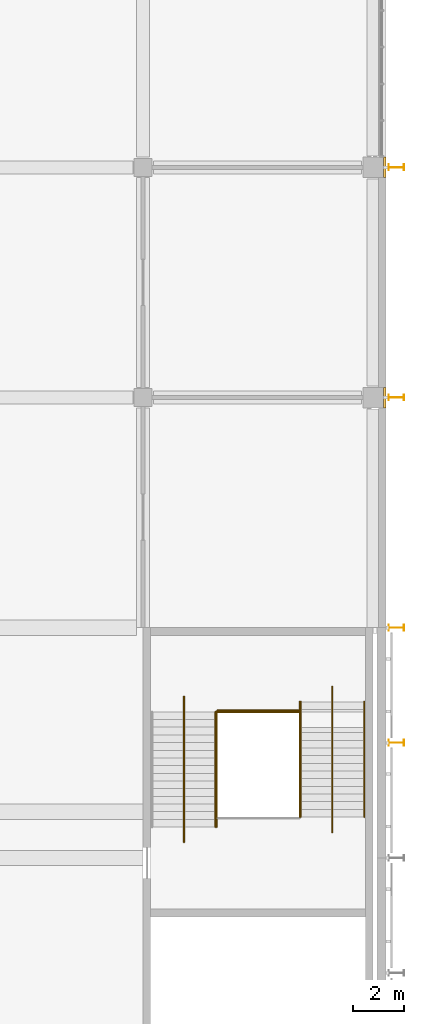
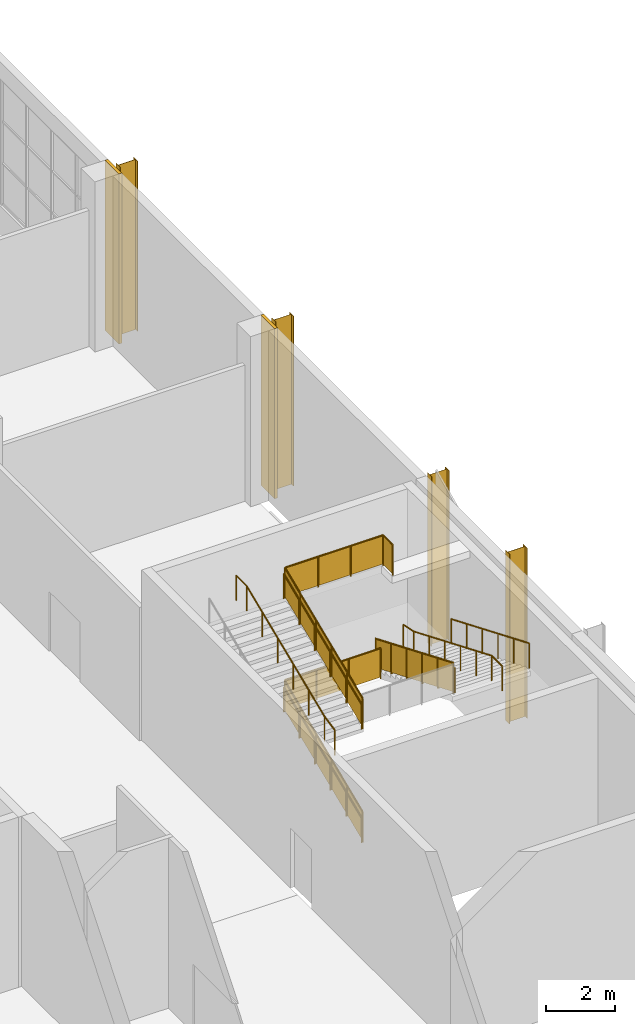
# One storey, part 83 of 89: 11 railings, 4 shading devices, 2 coverings.
"""IFC4 building model written with IfcOpenShell, lengths in metres."""

from ifc_helpers import new_model, si_unit, direction, frame, origin, origin_2d, place, context, subcontext, project, spatial, polyline, circle, i_section, outline, extrude, material, layer, layer_set, material_profile, profile_set, type_object, element, save


model = new_model("IFC4")

# Units and contexts
model_context = context("Model", 3, precision=1e-05, world=origin(), true_north=direction((0.0, 1.0)))
body_context = subcontext(model_context, "Body", "Model", "MODEL_VIEW")
ifc_project = project(units=[si_unit("LENGTHUNIT", "METRE"), si_unit("AREAUNIT", "SQUARE_METRE"), si_unit("VOLUMEUNIT", "CUBIC_METRE"), si_unit("PLANEANGLEUNIT", "RADIAN"), si_unit("MASSUNIT", "GRAM", prefix="KILO")], contexts=[model_context])

# Site, building, storey
site_placement = place(None, origin())
site = spatial("IfcSite", under=ifc_project, at=site_placement, CompositionType="ELEMENT")
building_placement = place(site_placement, origin())
building = spatial("IfcBuilding", under=site, at=building_placement, Name="Silverbay Arena", CompositionType="ELEMENT")
storey_placement = place(building_placement, frame((0.0, 0.0, 22.0)))
storey = spatial("IfcBuildingStorey", under=building, at=storey_placement, Name="L03", CompositionType="ELEMENT", Elevation=22.0)

# Coverings
ifc_material_1 = material(Name="Aluminium composite cladding", Category="aluminium")
ifc_layer = layer(ifc_material_1, 0.10009765625)
ifc_layer_set = layer_set([ifc_layer], Name="Aluminium composite cladding")
covering_type = type_object("IfcCoveringType", Name="Column cladding 100", PredefinedType="CLADDING", material=ifc_layer_set)
covering_1_placement = place(storey_placement, origin())
element("IfcCovering", 1, at=covering_1_placement, inside=storey, type_object=covering_type, Name="East column cladding L03 12", PredefinedType="CLADDING", context=body_context, shape_type="SweptSolid", body=[
    extrude(outline(polyline([(207.39990234375, 116.60009765625), (207.5, 116.60009765625), (207.5, 117.39990234375), (207.39990234375, 117.39990234375), (207.39990234375, 116.60009765625)])), origin(), (0.0, 0.0, 1.0), 6.0),
])
covering_2_placement = place(storey_placement, origin())
element("IfcCovering", 2, at=covering_2_placement, inside=storey, type_object=covering_type, Name="East column cladding L03 14", PredefinedType="CLADDING", context=body_context, shape_type="SweptSolid", body=[
    extrude(outline(polyline([(207.39990234375, 125.60009765625), (207.5, 125.60009765625), (207.5, 126.39990234375), (207.39990234375, 126.39990234375), (207.39990234375, 125.60009765625)])), origin(), (0.0, 0.0, 1.0), 6.0),
])

# Railings
ifc_material_2 = material(Name="Stainless steel", Category="steel")
railing_type_1 = type_object("IfcRailingType", Name="Stair guard 1100", PredefinedType="GUARDRAIL", material=ifc_material_2)
railing_1_placement = place(storey_placement, frame((200.875, 100.2099609375, 0.125)))
element("IfcRailing", 3, at=railing_1_placement, inside=storey, type_object=railing_type_1, Name="Stair ST-E2 L03 to L04 flight 1 guard right", PredefinedType="GUARDRAIL", context=body_context, shape_type="SweptSolid", body=[
    extrude(circle(Radius=0.02392578125, at=origin_2d()), frame((0.0, 0.0, 1.076171875), z_axis=(0.0, 0.923076923077, 0.384615384615), x_axis=(-1.0, 0.0, 0.0)), (0.0, 0.0, 1.0), 4.875),
    extrude(outline(polyline([(-0.008056640625, 0.046630859375), (0.907958984375, 0.42822265625), (0.907958984375, 1.431396484375), (-0.008056640625, 1.049560546875), (-0.008056640625, 0.046630859375)])), frame((-0.0029296875, 0.0, 0.0), z_axis=(1.0, 0.0, 0.0), x_axis=(0.0, 1.0, 0.0)), (0.0, 0.0, 1.0), 0.006103515625),
    extrude(outline(polyline([(-0.008056640625, 0.421630859375), (0.907958984375, 0.80322265625), (0.907958984375, 1.806396484375), (-0.008056640625, 1.424560546875), (-0.008056640625, 0.421630859375)])), frame((-0.0029296875, 0.89990234375, 0.0), z_axis=(1.0, 0.0, 0.0), x_axis=(0.0, 1.0, 0.0)), (0.0, 0.0, 1.0), 0.006103515625),
    extrude(outline(polyline([(-0.008056640625, 0.796630859375), (0.907958984375, 1.17822265625), (0.907958984375, 2.181396484375), (-0.008056640625, 1.799560546875), (-0.008056640625, 0.796630859375)])), frame((-0.0029296875, 1.800048828125, 0.0), z_axis=(1.0, 0.0, 0.0), x_axis=(0.0, 1.0, 0.0)), (0.0, 0.0, 1.0), 0.006103515625),
    extrude(outline(polyline([(-0.008056640625, 1.171630859375), (0.907958984375, 1.55322265625), (0.907958984375, 2.556396484375), (-0.008056640625, 2.174560546875), (-0.008056640625, 1.171630859375)])), frame((-0.0029296875, 2.699951171875, 0.0), z_axis=(1.0, 0.0, 0.0), x_axis=(0.0, 1.0, 0.0)), (0.0, 0.0, 1.0), 0.006103515625),
    extrude(outline(polyline([(-0.008056640625, 1.546630859375), (0.907958984375, 1.92822265625), (0.907958984375, 2.931396484375), (-0.008056640625, 2.549560546875), (-0.008056640625, 1.546630859375)])), frame((-0.0029296875, 3.60009765625, 0.0), z_axis=(1.0, 0.0, 0.0), x_axis=(0.0, 1.0, 0.0)), (0.0, 0.0, 1.0), 0.006103515625),
    extrude(circle(Radius=0.02099609375, at=origin_2d()), origin(), (0.0, 0.0, 1.0), 1.052001953125),
    extrude(circle(Radius=0.02099609375, at=origin_2d()), frame((0.0, 0.89990234375, 0.375)), (0.0, 0.0, 1.0), 1.052001953125),
    extrude(circle(Radius=0.02099609375, at=origin_2d()), frame((0.0, 1.800048828125, 0.75)), (0.0, 0.0, 1.0), 1.052001953125),
    extrude(circle(Radius=0.02099609375, at=origin_2d()), frame((0.0, 2.699951171875, 1.125)), (0.0, 0.0, 1.0), 1.052001953125),
    extrude(circle(Radius=0.02099609375, at=origin_2d()), frame((0.0, 3.60009765625, 1.5)), (0.0, 0.0, 1.0), 1.052001953125),
    extrude(circle(Radius=0.02099609375, at=origin_2d()), frame((0.0, 4.5, 1.875)), (0.0, 0.0, 1.0), 1.052001953125),
])
railing_2_placement = place(storey_placement, frame((204.125, 105.10009765625, 2.125)))
element("IfcRailing", 4, at=railing_2_placement, inside=storey, type_object=railing_type_1, Name="Stair ST-E2 L03 to L04 flight 2 guard left", PredefinedType="GUARDRAIL", context=body_context, shape_type="SweptSolid", body=[
    extrude(circle(Radius=0.02392578125, at=origin_2d()), frame((0.0, 0.0, 1.076171875), z_axis=(0.0, -0.923076923077, 0.384615384615), x_axis=(1.0, 0.0, 0.0)), (0.0, 0.0, 1.0), 4.875),
    extrude(outline(polyline([(-0.008056640625, 0.046630859375), (0.907958984375, 0.42822265625), (0.907958984375, 1.431396484375), (-0.008056640625, 1.049560546875), (-0.008056640625, 0.046630859375)])), frame((0.0029296875, 0.0, 0.0), z_axis=(-1.0, 0.0, 0.0), x_axis=(0.0, -1.0, 0.0)), (0.0, 0.0, 1.0), 0.006103515625),
    extrude(outline(polyline([(-0.008056640625, 0.421630859375), (0.907958984375, 0.80322265625), (0.907958984375, 1.806396484375), (-0.008056640625, 1.424560546875), (-0.008056640625, 0.421630859375)])), frame((0.0029296875, -0.89990234375, 0.0), z_axis=(-1.0, 0.0, 0.0), x_axis=(0.0, -1.0, 0.0)), (0.0, 0.0, 1.0), 0.006103515625),
    extrude(outline(polyline([(-0.008056640625, 0.796630859375), (0.907958984375, 1.17822265625), (0.907958984375, 2.181396484375), (-0.008056640625, 1.799560546875), (-0.008056640625, 0.796630859375)])), frame((0.0029296875, -1.800048828125, 0.0), z_axis=(-1.0, 0.0, 0.0), x_axis=(0.0, -1.0, 0.0)), (0.0, 0.0, 1.0), 0.006103515625),
    extrude(outline(polyline([(-0.008056640625, 1.171630859375), (0.907958984375, 1.55322265625), (0.907958984375, 2.556396484375), (-0.008056640625, 2.174560546875), (-0.008056640625, 1.171630859375)])), frame((0.0029296875, -2.699951171875, 0.0), z_axis=(-1.0, 0.0, 0.0), x_axis=(0.0, -1.0, 0.0)), (0.0, 0.0, 1.0), 0.006103515625),
    extrude(outline(polyline([(-0.008056640625, 1.546630859375), (0.907958984375, 1.92822265625), (0.907958984375, 2.931396484375), (-0.008056640625, 2.549560546875), (-0.008056640625, 1.546630859375)])), frame((0.0029296875, -3.60009765625, 0.0), z_axis=(-1.0, 0.0, 0.0), x_axis=(0.0, -1.0, 0.0)), (0.0, 0.0, 1.0), 0.006103515625),
    extrude(circle(Radius=0.02099609375, at=origin_2d()), origin(), (0.0, 0.0, 1.0), 1.052001953125),
    extrude(circle(Radius=0.02099609375, at=origin_2d()), frame((0.0, -0.89990234375, 0.375)), (0.0, 0.0, 1.0), 1.052001953125),
    extrude(circle(Radius=0.02099609375, at=origin_2d()), frame((0.0, -1.800048828125, 0.75)), (0.0, 0.0, 1.0), 1.052001953125),
    extrude(circle(Radius=0.02099609375, at=origin_2d()), frame((0.0, -2.699951171875, 1.125)), (0.0, 0.0, 1.0), 1.052001953125),
    extrude(circle(Radius=0.02099609375, at=origin_2d()), frame((0.0, -3.60009765625, 1.5)), (0.0, 0.0, 1.0), 1.052001953125),
    extrude(circle(Radius=0.02099609375, at=origin_2d()), frame((0.0, -4.5, 1.875)), (0.0, 0.0, 1.0), 1.052001953125),
])
railing_3_placement = place(storey_placement, frame((200.875, 100.2099609375, 4.125)))
element("IfcRailing", 5, at=railing_3_placement, inside=storey, type_object=railing_type_1, Name="Stair ST-E2 L03 to L04 flight 3 guard right", PredefinedType="GUARDRAIL", context=body_context, shape_type="SweptSolid", body=[
    extrude(circle(Radius=0.02392578125, at=origin_2d()), frame((0.0, 0.0, 1.076171875), z_axis=(0.0, 0.923076923077, 0.384615384615), x_axis=(-1.0, 0.0, 0.0)), (0.0, 0.0, 1.0), 4.875),
    extrude(outline(polyline([(-0.008056640625, 0.046630859375), (0.907958984375, 0.42822265625), (0.907958984375, 1.431396484375), (-0.008056640625, 1.049560546875), (-0.008056640625, 0.046630859375)])), frame((-0.0029296875, 0.0, 0.0), z_axis=(1.0, 0.0, 0.0), x_axis=(0.0, 1.0, 0.0)), (0.0, 0.0, 1.0), 0.006103515625),
    extrude(outline(polyline([(-0.008056640625, 0.421630859375), (0.907958984375, 0.80322265625), (0.907958984375, 1.806396484375), (-0.008056640625, 1.424560546875), (-0.008056640625, 0.421630859375)])), frame((-0.0029296875, 0.89990234375, 0.0), z_axis=(1.0, 0.0, 0.0), x_axis=(0.0, 1.0, 0.0)), (0.0, 0.0, 1.0), 0.006103515625),
    extrude(outline(polyline([(-0.008056640625, 0.796630859375), (0.907958984375, 1.17822265625), (0.907958984375, 2.181396484375), (-0.008056640625, 1.799560546875), (-0.008056640625, 0.796630859375)])), frame((-0.0029296875, 1.800048828125, 0.0), z_axis=(1.0, 0.0, 0.0), x_axis=(0.0, 1.0, 0.0)), (0.0, 0.0, 1.0), 0.006103515625),
    extrude(outline(polyline([(-0.008056640625, 1.171630859375), (0.907958984375, 1.55322265625), (0.907958984375, 2.556396484375), (-0.008056640625, 2.174560546875), (-0.008056640625, 1.171630859375)])), frame((-0.0029296875, 2.699951171875, 0.0), z_axis=(1.0, 0.0, 0.0), x_axis=(0.0, 1.0, 0.0)), (0.0, 0.0, 1.0), 0.006103515625),
    extrude(outline(polyline([(-0.008056640625, 1.546630859375), (0.907958984375, 1.92822265625), (0.907958984375, 2.931396484375), (-0.008056640625, 2.549560546875), (-0.008056640625, 1.546630859375)])), frame((-0.0029296875, 3.60009765625, 0.0), z_axis=(1.0, 0.0, 0.0), x_axis=(0.0, 1.0, 0.0)), (0.0, 0.0, 1.0), 0.006103515625),
    extrude(circle(Radius=0.02099609375, at=origin_2d()), origin(), (0.0, 0.0, 1.0), 1.052001953125),
    extrude(circle(Radius=0.02099609375, at=origin_2d()), frame((0.0, 0.89990234375, 0.375)), (0.0, 0.0, 1.0), 1.052001953125),
    extrude(circle(Radius=0.02099609375, at=origin_2d()), frame((0.0, 1.800048828125, 0.75)), (0.0, 0.0, 1.0), 1.052001953125),
    extrude(circle(Radius=0.02099609375, at=origin_2d()), frame((0.0, 2.699951171875, 1.125)), (0.0, 0.0, 1.0), 1.052001953125),
    extrude(circle(Radius=0.02099609375, at=origin_2d()), frame((0.0, 3.60009765625, 1.5)), (0.0, 0.0, 1.0), 1.052001953125),
    extrude(circle(Radius=0.02099609375, at=origin_2d()), frame((0.0, 4.5, 1.875)), (0.0, 0.0, 1.0), 1.052001953125),
])
railing_4_placement = place(storey_placement, frame((200.89990234375, 104.760009765625, 2.0)))
element("IfcRailing", 6, at=railing_4_placement, inside=storey, type_object=railing_type_1, Name="Stair ST-E2 L03 to L04 landing 1 guard", PredefinedType="GUARDRAIL", context=body_context, shape_type="SweptSolid", body=[
    extrude(circle(Radius=0.02392578125, at=origin_2d()), frame((0.0, 0.0, 1.076171875), z_axis=(1.0, 0.0, 0.0), x_axis=(0.0, 1.0, 0.0)), (0.0, 0.0, 1.0), 3.2001953125),
    extrude(outline(polyline([(-0.008056640625, 0.050048828125), (1.07470703125, 0.050048828125), (1.07470703125, 1.052978515625), (-0.008056640625, 1.052978515625), (-0.008056640625, 0.050048828125)])), frame((0.0, 0.0029296875, 0.0), z_axis=(0.0, -1.0, 0.0), x_axis=(1.0, 0.0, 0.0)), (0.0, 0.0, 1.0), 0.006103515625),
    extrude(outline(polyline([(-0.008056640625, 0.050048828125), (1.07470703125, 0.050048828125), (1.07470703125, 1.052978515625), (-0.008056640625, 1.052978515625), (-0.008056640625, 0.050048828125)])), frame((1.066650390625, 0.0029296875, 0.0), z_axis=(0.0, -1.0, 0.0), x_axis=(1.0, 0.0, 0.0)), (0.0, 0.0, 1.0), 0.006103515625),
    extrude(outline(polyline([(-0.008056640625, 0.050048828125), (1.07470703125, 0.050048828125), (1.07470703125, 1.052978515625), (-0.008056640625, 1.052978515625), (-0.008056640625, 0.050048828125)])), frame((2.133544921875, 0.0029296875, 0.0), z_axis=(0.0, -1.0, 0.0), x_axis=(1.0, 0.0, 0.0)), (0.0, 0.0, 1.0), 0.006103515625),
    extrude(circle(Radius=0.02099609375, at=origin_2d()), origin(), (0.0, 0.0, 1.0), 1.052001953125),
    extrude(circle(Radius=0.02099609375, at=origin_2d()), frame((1.066650390625, 0.0, 0.0)), (0.0, 0.0, 1.0), 1.052001953125),
    extrude(circle(Radius=0.02099609375, at=origin_2d()), frame((2.133544921875, 0.0, 0.0)), (0.0, 0.0, 1.0), 1.052001953125),
    extrude(circle(Radius=0.02099609375, at=origin_2d()), frame((3.2001953125, 0.0, 0.0)), (0.0, 0.0, 1.0), 1.052001953125),
])
railing_5_placement = place(storey_placement, frame((204.14990234375, 104.14990234375, 6.0)))
element("IfcRailing", 7, at=railing_5_placement, inside=storey, type_object=railing_type_1, Name="Stair ST-E2 L03 to L04 landing 3 guard", PredefinedType="GUARDRAIL", context=body_context, shape_type="SweptSolid", body=[
    extrude(circle(Radius=0.02392578125, at=origin_2d()), frame((0.0, 0.0, 1.076171875), z_axis=(0.0, 1.0, 0.0), x_axis=(-1.0, 0.0, 0.0)), (0.0, 0.0, 1.0), 0.56005859375),
    extrude(outline(polyline([(-0.008056640625, 0.050048828125), (0.568115234375, 0.050048828125), (0.568115234375, 1.052978515625), (-0.008056640625, 1.052978515625), (-0.008056640625, 0.050048828125)])), frame((-0.0029296875, 0.0, 0.0), z_axis=(1.0, 0.0, 0.0), x_axis=(0.0, 1.0, 0.0)), (0.0, 0.0, 1.0), 0.006103515625),
    extrude(circle(Radius=0.02392578125, at=origin_2d()), frame((0.0, 0.56005859375, 1.076171875), z_axis=(-1.0, 0.0, 0.0), x_axis=(0.0, -1.0, 0.0)), (0.0, 0.0, 1.0), 3.25),
    extrude(outline(polyline([(-0.008056640625, 0.050048828125), (1.09130859375, 0.050048828125), (1.09130859375, 1.052978515625), (-0.008056640625, 1.052978515625), (-0.008056640625, 0.050048828125)])), frame((0.0, 0.55712890625, 0.0), z_axis=(0.0, 1.0, 0.0), x_axis=(-1.0, 0.0, 0.0)), (0.0, 0.0, 1.0), 0.006103515625),
    extrude(outline(polyline([(-0.008056640625, 0.050048828125), (1.09130859375, 0.050048828125), (1.09130859375, 1.052978515625), (-0.008056640625, 1.052978515625), (-0.008056640625, 0.050048828125)])), frame((-1.083251953125, 0.55712890625, 0.0), z_axis=(0.0, 1.0, 0.0), x_axis=(-1.0, 0.0, 0.0)), (0.0, 0.0, 1.0), 0.006103515625),
    extrude(outline(polyline([(-0.008056640625, 0.050048828125), (1.09130859375, 0.050048828125), (1.09130859375, 1.052978515625), (-0.008056640625, 1.052978515625), (-0.008056640625, 0.050048828125)])), frame((-2.166748046875, 0.55712890625, 0.0), z_axis=(0.0, 1.0, 0.0), x_axis=(-1.0, 0.0, 0.0)), (0.0, 0.0, 1.0), 0.006103515625),
    extrude(circle(Radius=0.02099609375, at=origin_2d()), origin(), (0.0, 0.0, 1.0), 1.052001953125),
    extrude(circle(Radius=0.02099609375, at=origin_2d()), frame((0.0, 0.56005859375, 0.0)), (0.0, 0.0, 1.0), 1.052001953125),
    extrude(circle(Radius=0.02099609375, at=origin_2d()), frame((-1.083251953125, 0.56005859375, 0.0)), (0.0, 0.0, 1.0), 1.052001953125),
    extrude(circle(Radius=0.02099609375, at=origin_2d()), frame((-2.166748046875, 0.56005859375, 0.0)), (0.0, 0.0, 1.0), 1.052001953125),
    extrude(circle(Radius=0.02099609375, at=origin_2d()), frame((-3.25, 0.56005859375, 0.0)), (0.0, 0.0, 1.0), 1.052001953125),
])
ifc_material_3 = material(Name="Stainless steel", Category="steel")
railing_type_2 = type_object("IfcRailingType", Name="Stair handrail 900", PredefinedType="HANDRAIL", material=ifc_material_3)
railing_6_placement = place(storey_placement, frame((200.8359375, 100.2099609375, 0.125)))
element("IfcRailing", 8, at=railing_6_placement, inside=storey, type_object=railing_type_2, Name="Stair ST-E2 L03 to L04 flight 1 handrail right", PredefinedType="HANDRAIL", context=body_context, shape_type="SweptSolid", body=[
    extrude(circle(Radius=0.02392578125, at=origin_2d()), frame((0.0, 0.0, 0.8759765625), z_axis=(0.0, 0.923076923077, 0.384615384615), x_axis=(-1.0, 0.0, 0.0)), (0.0, 0.0, 1.0), 4.875),
    extrude(circle(Radius=0.02099609375, at=origin_2d()), origin(), (0.0, 0.0, 1.0), 0.851806640625),
    extrude(circle(Radius=0.02099609375, at=origin_2d()), frame((0.0, 0.89990234375, 0.375)), (0.0, 0.0, 1.0), 0.851806640625),
    extrude(circle(Radius=0.02099609375, at=origin_2d()), frame((0.0, 1.800048828125, 0.75)), (0.0, 0.0, 1.0), 0.851806640625),
    extrude(circle(Radius=0.02099609375, at=origin_2d()), frame((0.0, 2.699951171875, 1.125)), (0.0, 0.0, 1.0), 0.851806640625),
    extrude(circle(Radius=0.02099609375, at=origin_2d()), frame((0.0, 3.60009765625, 1.5)), (0.0, 0.0, 1.0), 0.851806640625),
    extrude(circle(Radius=0.02099609375, at=origin_2d()), frame((0.0, 4.5, 1.875)), (0.0, 0.0, 1.0), 0.851806640625),
])
for number, where, name in (
    (9, (204.1640625, 105.10009765625, 2.125), "Stair ST-E2 L03 to L04 flight 2 handrail left"),
    (10, (206.64990234375, 105.10009765625, 2.125), "Stair ST-E2 L03 to L04 flight 2 handrail right"),
):
    element("IfcRailing", number, at=place(storey_placement, frame(where)), inside=storey, type_object=railing_type_2, Name=name, PredefinedType="HANDRAIL", context=body_context, shape_type="SweptSolid", body=[
        extrude(circle(Radius=0.02392578125, at=origin_2d()), frame((0.0, 0.0, 0.8759765625), z_axis=(0.0, -0.923076923077, 0.384615384615), x_axis=(1.0, 0.0, 0.0)), (0.0, 0.0, 1.0), 4.875),
        extrude(circle(Radius=0.02099609375, at=origin_2d()), origin(), (0.0, 0.0, 1.0), 0.851806640625),
        extrude(circle(Radius=0.02099609375, at=origin_2d()), frame((0.0, -0.89990234375, 0.375)), (0.0, 0.0, 1.0), 0.851806640625),
        extrude(circle(Radius=0.02099609375, at=origin_2d()), frame((0.0, -1.800048828125, 0.75)), (0.0, 0.0, 1.0), 0.851806640625),
        extrude(circle(Radius=0.02099609375, at=origin_2d()), frame((0.0, -2.699951171875, 1.125)), (0.0, 0.0, 1.0), 0.851806640625),
        extrude(circle(Radius=0.02099609375, at=origin_2d()), frame((0.0, -3.60009765625, 1.5)), (0.0, 0.0, 1.0), 0.851806640625),
        extrude(circle(Radius=0.02099609375, at=origin_2d()), frame((0.0, -4.5, 1.875)), (0.0, 0.0, 1.0), 0.851806640625),
    ])
railing_7_placement = place(storey_placement, frame((205.39990234375, 105.699951171875, 2.0)))
element("IfcRailing", 11, at=railing_7_placement, inside=storey, type_object=railing_type_2, Name="Stair ST-E2 L03 to L04 flight 2 central handrail", PredefinedType="HANDRAIL", context=body_context, shape_type="SweptSolid", body=[
    extrude(circle(Radius=0.02392578125, at=origin_2d()), frame((0.0, 0.0, 0.8759765625), z_axis=(0.0, -0.978970474113, 0.20400198728), x_axis=(1.0, 0.0, 0.0)), (0.0, 0.0, 1.0), 0.61279296875),
    extrude(circle(Radius=0.02392578125, at=origin_2d()), frame((0.0, -0.599853515625, 1.0009765625), z_axis=(0.0, -0.923076923077, 0.384615384615), x_axis=(1.0, 0.0, 0.0)), (0.0, 0.0, 1.0), 4.875),
    extrude(circle(Radius=0.02392578125, at=origin_2d()), frame((0.0, -5.099853515625, 2.8759765625), z_axis=(0.0, -1.0, 0.0), x_axis=(1.0, 0.0, 0.0)), (0.0, 0.0, 1.0), 0.60009765625),
    extrude(circle(Radius=0.02099609375, at=origin_2d()), origin(), (0.0, 0.0, 1.0), 0.851806640625),
    extrude(circle(Radius=0.02099609375, at=origin_2d()), frame((0.0, -0.599853515625, 0.125)), (0.0, 0.0, 1.0), 0.851806640625),
    extrude(circle(Radius=0.02099609375, at=origin_2d()), frame((0.0, -1.499755859375, 0.5)), (0.0, 0.0, 1.0), 0.851806640625),
    extrude(circle(Radius=0.02099609375, at=origin_2d()), frame((0.0, -2.39990234375, 0.875)), (0.0, 0.0, 1.0), 0.851806640625),
    extrude(circle(Radius=0.02099609375, at=origin_2d()), frame((0.0, -3.2998046875, 1.25)), (0.0, 0.0, 1.0), 0.851806640625),
    extrude(circle(Radius=0.02099609375, at=origin_2d()), frame((0.0, -4.199951171875, 1.625)), (0.0, 0.0, 1.0), 0.851806640625),
    extrude(circle(Radius=0.02099609375, at=origin_2d()), frame((0.0, -5.099853515625, 2.0)), (0.0, 0.0, 1.0), 0.851806640625),
    extrude(circle(Radius=0.02099609375, at=origin_2d()), frame((0.0, -5.699951171875, 2.0)), (0.0, 0.0, 1.0), 0.851806640625),
])
railing_8_placement = place(storey_placement, frame((200.8359375, 100.2099609375, 4.125)))
element("IfcRailing", 12, at=railing_8_placement, inside=storey, type_object=railing_type_2, Name="Stair ST-E2 L03 to L04 flight 3 handrail right", PredefinedType="HANDRAIL", context=body_context, shape_type="SweptSolid", body=[
    extrude(circle(Radius=0.02392578125, at=origin_2d()), frame((0.0, 0.0, 0.8759765625), z_axis=(0.0, 0.923076923077, 0.384615384615), x_axis=(-1.0, 0.0, 0.0)), (0.0, 0.0, 1.0), 4.875),
    extrude(circle(Radius=0.02099609375, at=origin_2d()), origin(), (0.0, 0.0, 1.0), 0.851806640625),
    extrude(circle(Radius=0.02099609375, at=origin_2d()), frame((0.0, 0.89990234375, 0.375)), (0.0, 0.0, 1.0), 0.851806640625),
    extrude(circle(Radius=0.02099609375, at=origin_2d()), frame((0.0, 1.800048828125, 0.75)), (0.0, 0.0, 1.0), 0.851806640625),
    extrude(circle(Radius=0.02099609375, at=origin_2d()), frame((0.0, 2.699951171875, 1.125)), (0.0, 0.0, 1.0), 0.851806640625),
    extrude(circle(Radius=0.02099609375, at=origin_2d()), frame((0.0, 3.60009765625, 1.5)), (0.0, 0.0, 1.0), 0.851806640625),
    extrude(circle(Radius=0.02099609375, at=origin_2d()), frame((0.0, 4.5, 1.875)), (0.0, 0.0, 1.0), 0.851806640625),
])
railing_9_placement = place(storey_placement, frame((199.60009765625, 99.610107421875, 4.0)))
element("IfcRailing", 13, at=railing_9_placement, inside=storey, type_object=railing_type_2, Name="Stair ST-E2 L03 to L04 flight 3 central handrail", PredefinedType="HANDRAIL", context=body_context, shape_type="SweptSolid", body=[
    extrude(circle(Radius=0.02392578125, at=origin_2d()), frame((0.0, 0.0, 0.8759765625), z_axis=(0.0, 0.978970474113, 0.20400198728), x_axis=(-1.0, 0.0, 0.0)), (0.0, 0.0, 1.0), 0.61279296875),
    extrude(circle(Radius=0.02392578125, at=origin_2d()), frame((0.0, 0.599853515625, 1.0009765625), z_axis=(0.0, 0.923076923077, 0.384615384615), x_axis=(-1.0, 0.0, 0.0)), (0.0, 0.0, 1.0), 4.875),
    extrude(circle(Radius=0.02392578125, at=origin_2d()), frame((0.0, 5.099853515625, 2.8759765625), z_axis=(0.0, 1.0, 0.0), x_axis=(-1.0, 0.0, 0.0)), (0.0, 0.0, 1.0), 0.60009765625),
    extrude(circle(Radius=0.02099609375, at=origin_2d()), origin(), (0.0, 0.0, 1.0), 0.851806640625),
    extrude(circle(Radius=0.02099609375, at=origin_2d()), frame((0.0, 0.599853515625, 0.125)), (0.0, 0.0, 1.0), 0.851806640625),
    extrude(circle(Radius=0.02099609375, at=origin_2d()), frame((0.0, 1.499755859375, 0.5)), (0.0, 0.0, 1.0), 0.851806640625),
    extrude(circle(Radius=0.02099609375, at=origin_2d()), frame((0.0, 2.39990234375, 0.875)), (0.0, 0.0, 1.0), 0.851806640625),
    extrude(circle(Radius=0.02099609375, at=origin_2d()), frame((0.0, 3.2998046875, 1.25)), (0.0, 0.0, 1.0), 0.851806640625),
    extrude(circle(Radius=0.02099609375, at=origin_2d()), frame((0.0, 4.199951171875, 1.625)), (0.0, 0.0, 1.0), 0.851806640625),
    extrude(circle(Radius=0.02099609375, at=origin_2d()), frame((0.0, 5.099853515625, 2.0)), (0.0, 0.0, 1.0), 0.851806640625),
    extrude(circle(Radius=0.02099609375, at=origin_2d()), frame((0.0, 5.699951171875, 2.0)), (0.0, 0.0, 1.0), 0.851806640625),
])

# Shading devices
ifc_material_4 = material(Name="Steel S355", Category="steel")
ifc_material_profile = material_profile(ifc_material_4, i_section(OverallWidth=0.2275390625, OverallDepth=0.6025390625, WebThickness=0.010498046875, FlangeThickness=0.014892578125, at=origin_2d()), Name="UB 610x229x101")
ifc_profile_set = profile_set([ifc_material_profile], Name="Steel S355")
shading_device_type = type_object("IfcShadingDeviceType", Name="Steel fin UB 610x229x101", PredefinedType="USERDEFINED", material=ifc_profile_set)
for number, where, z_axis, x_axis, name in (
    (14, (207.9013671875, 103.5, 0.0), (0.0, 0.0, 1.0), (0.0, 1.0, 0.0), "Steel fin E L03 19"),
    (15, (207.9013671875, 108.0, 0.0), (0.0, 0.0, 1.0), (0.0, 1.0, 0.0), "Steel fin E L03 20"),
    (16, (207.9013671875, 117.0, 0.0), (0.0, 0.0, 1.0), (0.0, 1.0, 0.0), "Steel fin E L03 22"),
    (17, (207.9013671875, 126.0, 0.0), (0.0, 0.0, 1.0), (0.0, 1.0, 0.0), "Steel fin E L03 24"),
):
    element("IfcShadingDevice", number, at=place(storey_placement, frame(where, z_axis=z_axis, x_axis=x_axis)), inside=storey, type_object=shading_device_type, Name=name, ObjectType="FIN", PredefinedType="USERDEFINED", context=body_context, shape_type="SweptSolid", body=[
        extrude(i_section(OverallWidth=0.2275390625, OverallDepth=0.6025390625, WebThickness=0.010498046875, FlangeThickness=0.014892578125, at=origin_2d()), origin(), (0.0, 0.0, 1.0), 6.0),
    ])

save(model, "model.ifc")
